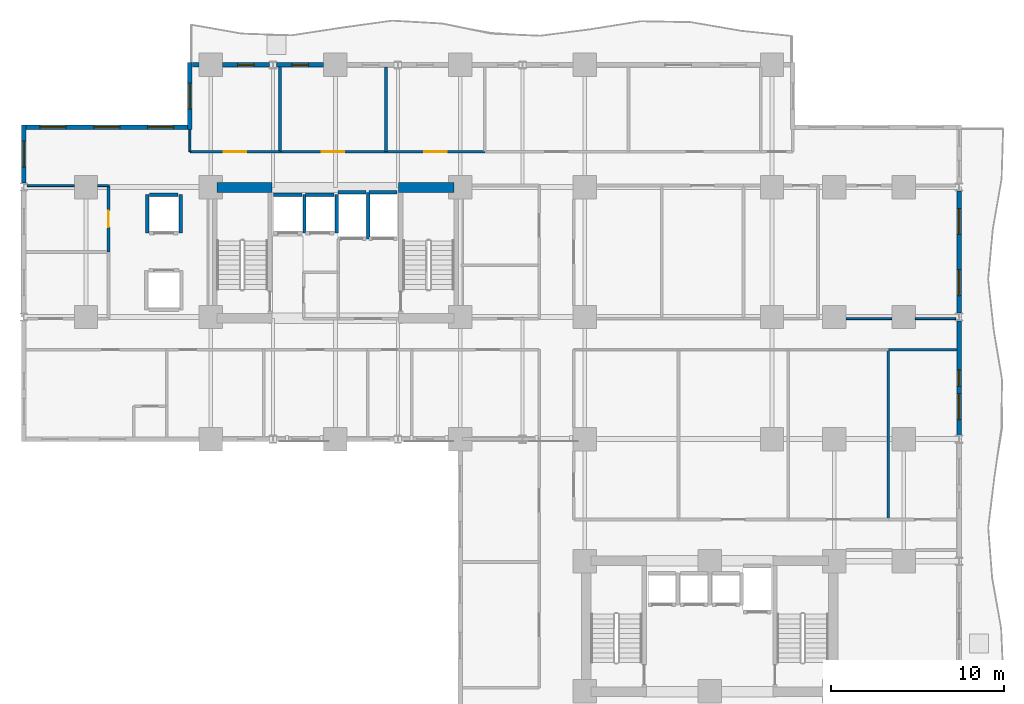
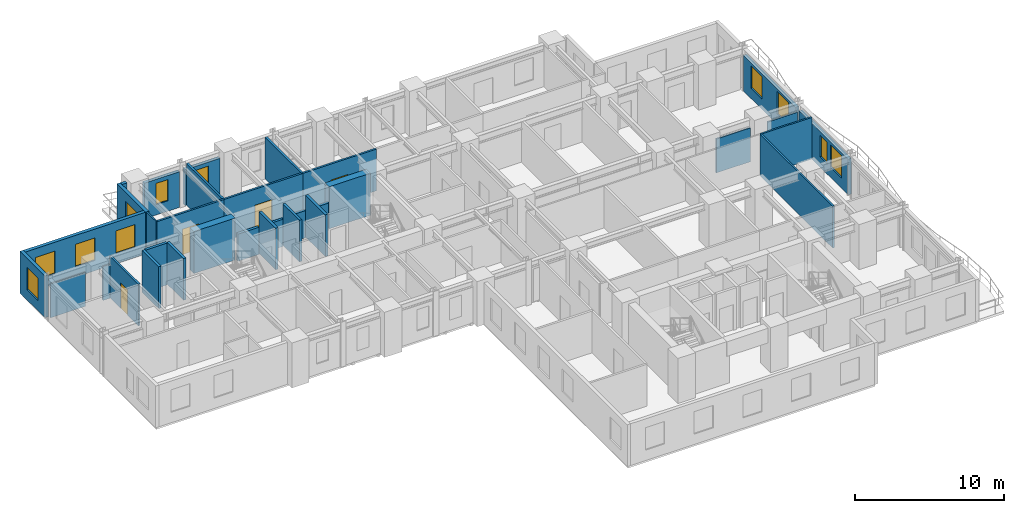
# One storey, part 6 of 11: 33 walls, 11 windows, 4 doors, 15 openings.
"""IFC4 building model written with IfcOpenShell, lengths in metres."""

from ifc_helpers import new_model, si_unit, direction, frame, frame_2d, origin, place, context, subcontext, project, spatial, rectangle, extrude, material, layer, layer_set, type_object, element, fill, save


model = new_model("IFC4")

# Units and contexts
model_context = context("Model", 3, precision=1e-05, world=origin(), true_north=direction((0.0, 1.0)))
body_context = subcontext(model_context, "Body", "Model", "MODEL_VIEW")
ifc_project = project(units=[si_unit("LENGTHUNIT", "METRE"), si_unit("AREAUNIT", "SQUARE_METRE"), si_unit("VOLUMEUNIT", "CUBIC_METRE"), si_unit("PLANEANGLEUNIT", "RADIAN"), si_unit("MASSUNIT", "GRAM", prefix="KILO")], contexts=[model_context])

# Site, building, storey
site_placement = place(None, origin())
site = spatial("IfcSite", under=ifc_project, at=site_placement, CompositionType="ELEMENT")
building_placement = place(site_placement, origin())
building = spatial("IfcBuilding", under=site, at=building_placement, Name="Kaliganga Portal Commons", CompositionType="ELEMENT")
storey_placement = place(building_placement, frame((0.0, 0.0, 66.0)))
storey = spatial("IfcBuildingStorey", under=building, at=storey_placement, Name="L16", CompositionType="ELEMENT", Elevation=66.0)

# Walls
ifc_material_1 = material(Name="Concrete C60/75", Category="concrete")
ifc_layer_1 = layer(ifc_material_1, 0.550048828125)
ifc_layer_set_1 = layer_set([ifc_layer_1], Name="Concrete C60/75")
wall_type_1 = type_object("IfcWallType", Name="WL-CORE-550", PredefinedType="SHEAR", material=ifc_layer_set_1)
for number, where, z_axis, x_axis, name in (
    (1, (14.75, 36.125, 0.0), (0.0, 0.0, 1.0), (1.0, 0.0, 0.0), "Core A N-West Shear Wall L16"),
    (2, (25.25, 36.125, 0.0), (0.0, 0.0, 1.0), (1.0, 0.0, 0.0), "Core A N-East Shear Wall L16"),
):
    element("IfcWall", number, at=place(storey_placement, frame(where, z_axis=z_axis, x_axis=x_axis)), inside=storey, type_object=wall_type_1, Name=name, PredefinedType="SHEAR", context=body_context, shape_type="SweptSolid", body=[
        extrude(rectangle(XDim=3.199951171875, YDim=0.550048828125, at=frame_2d((1.60009765625, 0.0))), origin(), (0.0, 0.0, 1.0), 3.449951171875),
    ])

# Wall, openings, windows
ifc_material_2 = material(Name="Insulated Aluminium-Clad Spandrel Assembly", Category="aluminium")
ifc_layer_2 = layer(ifc_material_2, 0.260009765625)
ifc_layer_set_2 = layer_set([ifc_layer_2], Name="Insulated Aluminium-Clad Spandrel Assembly")
wall_type_2 = type_object("IfcWallType", Name="WL-EXT-SPAND-260", PredefinedType="STANDARD", material=ifc_layer_set_2)
wall_1_placement = place(storey_placement, frame((57.60009765625, 28.426025390625, 0.0), z_axis=(0.0, 0.0, 1.0), x_axis=(0.0, -1.0, 0.0)))
wall_1 = element("IfcWall", 3, at=wall_1_placement, inside=storey, type_object=wall_type_2, Name="Exterior Envelope Wall L16 P1-E03-S4", PredefinedType="STANDARD", context=body_context, shape_type="SweptSolid", body=[
    extrude(rectangle(XDim=6.60205078125, YDim=0.260009765625, at=frame_2d((3.301025390625, 0.0))), origin(), (0.0, 0.0, 1.0), 2.929931640625),
])
opening_1_placement = place(wall_1_placement, frame((4.201416015625, 0.0, 0.85009765625)))
opening_1 = element("IfcOpeningElement", 4, at=opening_1_placement, cuts=wall_1, Name="Opening W-02", PredefinedType="OPENING", context=body_context, shape_type="SweptSolid", body=[
    extrude(rectangle(XDim=1.5, YDim=1.85009765625, at=frame_2d((0.75, 0.925048828125))), frame((0.0, 0.14013671875, 0.0), z_axis=(0.0, -1.0, 0.0), x_axis=(1.0, 0.0, 0.0)), (0.0, 0.0, 1.0), 0.280029296875),
])
opening_2_placement = place(wall_1_placement, frame((2.825927734375, 0.0, 0.85009765625)))
opening_2 = element("IfcOpeningElement", 5, at=opening_2_placement, cuts=wall_1, Name="Opening W-04", PredefinedType="OPENING", context=body_context, shape_type="SweptSolid", body=[
    extrude(rectangle(XDim=0.949951171875, YDim=1.75, at=frame_2d((0.47509765625, 0.875))), frame((0.0, 0.14013671875, 0.0), z_axis=(0.0, -1.0, 0.0), x_axis=(1.0, 0.0, 0.0)), (0.0, 0.0, 1.0), 0.280029296875),
])
ifc_material_3 = material(Name="Thermally Broken Aluminium and Low-E Double Glazing", Category="aluminium")
window_type_1 = type_object("IfcWindowType", Name="WIN-NARROW-950", PartitioningType="SINGLE_PANEL", PredefinedType="WINDOW", material=ifc_material_3)
window_1_placement = place(opening_2_placement, origin())
window_1 = element("IfcWindow", 6, at=window_1_placement, inside=storey, type_object=window_type_1, Name="Facade Window L16-P1E03S4-N0", OverallHeight=1.75, OverallWidth=0.949951171875, PartitioningType="SINGLE_PANEL", PredefinedType="WINDOW", context=body_context, shape_type="SweptSolid", body=[
    extrude(rectangle(XDim=0.949951171875, YDim=1.75, at=frame_2d((0.47509765625, 0.875))), frame((0.0, 0.030029296875, 0.0), z_axis=(0.0, -1.0, 0.0), x_axis=(1.0, 0.0, 0.0)), (0.0, 0.0, 1.0), 0.06005859375),
])
fill(opening_2, window_1)
window_type_2 = type_object("IfcWindowType", Name="WIN-STD-1500", PartitioningType="DOUBLE_PANEL_VERTICAL", PredefinedType="WINDOW", material=ifc_material_3)
window_2_placement = place(opening_1_placement, origin())
window_2 = element("IfcWindow", 7, at=window_2_placement, inside=storey, type_object=window_type_2, Name="Facade Window L16-P1E03S4-01", OverallHeight=1.85009765625, OverallWidth=1.5, PartitioningType="SINGLE_PANEL", PredefinedType="WINDOW", context=body_context, shape_type="SweptSolid", body=[
    extrude(rectangle(XDim=1.5, YDim=1.85009765625, at=frame_2d((0.75, 0.925048828125))), frame((0.0, 0.030029296875, 0.0), z_axis=(0.0, -1.0, 0.0), x_axis=(1.0, 0.0, 0.0)), (0.0, 0.0, 1.0), 0.06005859375),
])
fill(opening_1, window_2)

wall_2_placement = place(storey_placement, frame((57.60009765625, 35.926025390625, 0.0), z_axis=(0.0, 0.0, 1.0), x_axis=(0.0, -1.0, 0.0)))
wall_2 = element("IfcWall", 8, at=wall_2_placement, inside=storey, type_object=wall_type_2, Name="Exterior Envelope Wall L16 P1-E03-S5", PredefinedType="STANDARD", context=body_context, shape_type="SweptSolid", body=[
    extrude(rectangle(XDim=7.052001953125, YDim=0.260009765625, at=frame_2d((3.52587890625, 0.0))), origin(), (0.0, 0.0, 1.0), 2.929931640625),
])
opening_3_placement = place(wall_2_placement, frame((1.012939453125, 0.0, 0.85009765625)))
opening_3 = element("IfcOpeningElement", 9, at=opening_3_placement, cuts=wall_2, Name="Opening W-02", PredefinedType="OPENING", context=body_context, shape_type="SweptSolid", body=[
    extrude(rectangle(XDim=1.5, YDim=1.85009765625, at=frame_2d((0.75, 0.925048828125))), frame((0.0, 0.14013671875, 0.0), z_axis=(0.0, -1.0, 0.0), x_axis=(1.0, 0.0, 0.0)), (0.0, 0.0, 1.0), 0.280029296875),
])
opening_4_placement = place(wall_2_placement, frame((4.5390625, 0.0, 0.85009765625)))
opening_4 = element("IfcOpeningElement", 10, at=opening_4_placement, cuts=wall_2, Name="Opening W-02", PredefinedType="OPENING", context=body_context, shape_type="SweptSolid", body=[
    extrude(rectangle(XDim=1.5, YDim=1.85009765625, at=frame_2d((0.75, 0.925048828125))), frame((0.0, 0.14013671875, 0.0), z_axis=(0.0, -1.0, 0.0), x_axis=(1.0, 0.0, 0.0)), (0.0, 0.0, 1.0), 0.280029296875),
])
window_3_placement = place(opening_3_placement, origin())
window_3 = element("IfcWindow", 11, at=window_3_placement, inside=storey, type_object=window_type_2, Name="Facade Window L16-P1E03S5-00", OverallHeight=1.85009765625, OverallWidth=1.5, PartitioningType="SINGLE_PANEL", PredefinedType="WINDOW", context=body_context, shape_type="SweptSolid", body=[
    extrude(rectangle(XDim=1.5, YDim=1.85009765625, at=frame_2d((0.75, 0.925048828125))), frame((0.0, 0.030029296875, 0.0), z_axis=(0.0, -1.0, 0.0), x_axis=(1.0, 0.0, 0.0)), (0.0, 0.0, 1.0), 0.06005859375),
])
fill(opening_3, window_3)
window_4_placement = place(opening_4_placement, origin())
window_4 = element("IfcWindow", 12, at=window_4_placement, inside=storey, type_object=window_type_2, Name="Facade Window L16-P1E03S5-01", OverallHeight=1.85009765625, OverallWidth=1.5, PartitioningType="SINGLE_PANEL", PredefinedType="WINDOW", context=body_context, shape_type="SweptSolid", body=[
    extrude(rectangle(XDim=1.5, YDim=1.85009765625, at=frame_2d((0.75, 0.925048828125))), frame((0.0, 0.030029296875, 0.0), z_axis=(0.0, -1.0, 0.0), x_axis=(1.0, 0.0, 0.0)), (0.0, 0.0, 1.0), 0.06005859375),
])
fill(opening_4, window_4)

# Wall, opening, window
wall_3_placement = place(storey_placement, frame((18.208984375, 43.199951171875, 0.0), z_axis=(0.0, 0.0, 1.0), x_axis=(1.0, 0.0, 0.0)))
wall_3 = element("IfcWall", 13, at=wall_3_placement, inside=storey, type_object=wall_type_2, Name="Exterior Envelope Wall L16 P1-E06-S7", PredefinedType="STANDARD", context=body_context, shape_type="SweptSolid", body=[
    extrude(rectangle(XDim=2.715087890625, YDim=0.260009765625, at=frame_2d((1.357421875, 0.0))), origin(), (0.0, 0.0, 1.0), 2.929931640625),
])
opening_5_placement = place(wall_3_placement, frame((0.882568359375, 0.0, 0.85009765625)))
opening_5 = element("IfcOpeningElement", 14, at=opening_5_placement, cuts=wall_3, Name="Opening W-04", PredefinedType="OPENING", context=body_context, shape_type="SweptSolid", body=[
    extrude(rectangle(XDim=0.949951171875, YDim=1.75, at=frame_2d((0.47509765625, 0.875))), frame((0.0, 0.14013671875, 0.0), z_axis=(0.0, -1.0, 0.0), x_axis=(1.0, 0.0, 0.0)), (0.0, 0.0, 1.0), 0.280029296875),
])
window_5_placement = place(opening_5_placement, origin())
window_5 = element("IfcWindow", 15, at=window_5_placement, inside=storey, type_object=window_type_1, Name="Facade Window L16-P1E06S7-00", OverallHeight=1.75, OverallWidth=0.949951171875, PartitioningType="SINGLE_PANEL", PredefinedType="WINDOW", context=body_context, shape_type="SweptSolid", body=[
    extrude(rectangle(XDim=0.949951171875, YDim=1.75, at=frame_2d((0.47509765625, 0.875))), frame((0.0, 0.030029296875, 0.0), z_axis=(0.0, -1.0, 0.0), x_axis=(1.0, 0.0, 0.0)), (0.0, 0.0, 1.0), 0.06005859375),
])
fill(opening_5, window_5)

wall_4_placement = place(storey_placement, frame((15.075927734375, 43.199951171875, 0.0), z_axis=(0.0, 0.0, 1.0), x_axis=(1.0, 0.0, 0.0)))
wall_4 = element("IfcWall", 16, at=wall_4_placement, inside=storey, type_object=wall_type_2, Name="Exterior Envelope Wall L16 P1-E06-S8", PredefinedType="STANDARD", context=body_context, shape_type="SweptSolid", body=[
    extrude(rectangle(XDim=2.715087890625, YDim=0.260009765625, at=frame_2d((1.357421875, 0.0))), origin(), (0.0, 0.0, 1.0), 2.929931640625),
])
opening_6_placement = place(wall_4_placement, frame((0.882568359375, 0.0, 0.85009765625)))
opening_6 = element("IfcOpeningElement", 17, at=opening_6_placement, cuts=wall_4, Name="Opening W-04", PredefinedType="OPENING", context=body_context, shape_type="SweptSolid", body=[
    extrude(rectangle(XDim=0.949951171875, YDim=1.75, at=frame_2d((0.47509765625, 0.875))), frame((0.0, 0.14013671875, 0.0), z_axis=(0.0, -1.0, 0.0), x_axis=(1.0, 0.0, 0.0)), (0.0, 0.0, 1.0), 0.280029296875),
])
window_6_placement = place(opening_6_placement, origin())
window_6 = element("IfcWindow", 18, at=window_6_placement, inside=storey, type_object=window_type_1, Name="Facade Window L16-P1E06S8-00", OverallHeight=1.75, OverallWidth=0.949951171875, PartitioningType="SINGLE_PANEL", PredefinedType="WINDOW", context=body_context, shape_type="SweptSolid", body=[
    extrude(rectangle(XDim=0.949951171875, YDim=1.75, at=frame_2d((0.47509765625, 0.875))), frame((0.0, 0.030029296875, 0.0), z_axis=(0.0, -1.0, 0.0), x_axis=(1.0, 0.0, 0.0)), (0.0, 0.0, 1.0), 0.06005859375),
])
fill(opening_6, window_6)

# Wall
wall_5_placement = place(storey_placement, frame((13.3349609375, 43.199951171875, 0.0), z_axis=(0.0, 0.0, 1.0), x_axis=(1.0, 0.0, 0.0)))
element("IfcWall", 19, at=wall_5_placement, inside=storey, type_object=wall_type_2, Name="Exterior Envelope Wall L16 P1-E06-S9", PredefinedType="STANDARD", context=body_context, shape_type="SweptSolid", body=[
    extrude(rectangle(XDim=0.38916015625, YDim=0.260009765625, at=frame_2d((0.194580078125, 0.0))), origin(), (0.0, 0.0, 1.0), 3.429931640625),
])

# Wall, opening, window
wall_6_placement = place(storey_placement, frame((13.199951171875, 39.469970703125, 0.0), z_axis=(0.0, 0.0, 1.0), x_axis=(0.0, 1.0, 0.0)))
wall_6 = element("IfcWall", 20, at=wall_6_placement, inside=storey, type_object=wall_type_2, Name="Exterior Envelope Wall L16 P1-E07-S1", PredefinedType="STANDARD", context=body_context, shape_type="SweptSolid", body=[
    extrude(rectangle(XDim=3.860107421875, YDim=0.260009765625, at=frame_2d((1.93017578125, 0.0))), origin(), (0.0, 0.0, 1.0), 3.429931640625),
])
opening_7_placement = place(wall_6_placement, frame((1.179931640625, 0.0, 0.85009765625)))
opening_7 = element("IfcOpeningElement", 21, at=opening_7_placement, cuts=wall_6, Name="Opening W-02", PredefinedType="OPENING", context=body_context, shape_type="SweptSolid", body=[
    extrude(rectangle(XDim=1.5, YDim=1.85009765625, at=frame_2d((0.75, 0.925048828125))), frame((0.0, 0.14013671875, 0.0), z_axis=(0.0, -1.0, 0.0), x_axis=(1.0, 0.0, 0.0)), (0.0, 0.0, 1.0), 0.280029296875),
])
window_7_placement = place(opening_7_placement, origin())
window_7 = element("IfcWindow", 22, at=window_7_placement, inside=storey, type_object=window_type_2, Name="Facade Window L16-P1E07S1-00", OverallHeight=1.85009765625, OverallWidth=1.5, PartitioningType="SINGLE_PANEL", PredefinedType="WINDOW", context=body_context, shape_type="SweptSolid", body=[
    extrude(rectangle(XDim=1.5, YDim=1.85009765625, at=frame_2d((0.75, 0.925048828125))), frame((0.0, 0.030029296875, 0.0), z_axis=(0.0, -1.0, 0.0), x_axis=(1.0, 0.0, 0.0)), (0.0, 0.0, 1.0), 0.06005859375),
])
fill(opening_7, window_7)

# Wall, openings, windows
wall_7_placement = place(storey_placement, frame((3.735107421875, 39.60009765625, 0.0), z_axis=(0.0, 0.0, 1.0), x_axis=(1.0, 0.0, 0.0)))
wall_7 = element("IfcWall", 23, at=wall_7_placement, inside=storey, type_object=wall_type_2, Name="Exterior Envelope Wall L16 P1-E08-S1", PredefinedType="STANDARD", context=body_context, shape_type="SweptSolid", body=[
    extrude(rectangle(XDim=9.329833984375, YDim=0.260009765625, at=frame_2d((4.6650390625, 0.0))), origin(), (0.0, 0.0, 1.0), 3.429931640625),
])
opening_8_placement = place(wall_7_placement, frame((0.804931640625, 0.0, 0.85009765625)))
opening_8 = element("IfcOpeningElement", 24, at=opening_8_placement, cuts=wall_7, Name="Opening W-02", PredefinedType="OPENING", context=body_context, shape_type="SweptSolid", body=[
    extrude(rectangle(XDim=1.5, YDim=1.85009765625, at=frame_2d((0.75, 0.925048828125))), frame((0.0, 0.14013671875, 0.0), z_axis=(0.0, -1.0, 0.0), x_axis=(1.0, 0.0, 0.0)), (0.0, 0.0, 1.0), 0.280029296875),
])
opening_9_placement = place(wall_7_placement, frame((3.9150390625, 0.0, 0.85009765625)))
opening_9 = element("IfcOpeningElement", 25, at=opening_9_placement, cuts=wall_7, Name="Opening W-02", PredefinedType="OPENING", context=body_context, shape_type="SweptSolid", body=[
    extrude(rectangle(XDim=1.5, YDim=1.85009765625, at=frame_2d((0.75, 0.925048828125))), frame((0.0, 0.14013671875, 0.0), z_axis=(0.0, -1.0, 0.0), x_axis=(1.0, 0.0, 0.0)), (0.0, 0.0, 1.0), 0.280029296875),
])
opening_10_placement = place(wall_7_placement, frame((7.02490234375, 0.0, 0.85009765625)))
opening_10 = element("IfcOpeningElement", 26, at=opening_10_placement, cuts=wall_7, Name="Opening W-02", PredefinedType="OPENING", context=body_context, shape_type="SweptSolid", body=[
    extrude(rectangle(XDim=1.5, YDim=1.85009765625, at=frame_2d((0.75, 0.925048828125))), frame((0.0, 0.14013671875, 0.0), z_axis=(0.0, -1.0, 0.0), x_axis=(1.0, 0.0, 0.0)), (0.0, 0.0, 1.0), 0.280029296875),
])
window_8_placement = place(opening_8_placement, origin())
window_8 = element("IfcWindow", 27, at=window_8_placement, inside=storey, type_object=window_type_2, Name="Facade Window L16-P1E08S1-00", OverallHeight=1.85009765625, OverallWidth=1.5, PartitioningType="SINGLE_PANEL", PredefinedType="WINDOW", context=body_context, shape_type="SweptSolid", body=[
    extrude(rectangle(XDim=1.5, YDim=1.85009765625, at=frame_2d((0.75, 0.925048828125))), frame((0.0, 0.030029296875, 0.0), z_axis=(0.0, -1.0, 0.0), x_axis=(1.0, 0.0, 0.0)), (0.0, 0.0, 1.0), 0.06005859375),
])
fill(opening_8, window_8)
window_9_placement = place(opening_9_placement, origin())
window_9 = element("IfcWindow", 28, at=window_9_placement, inside=storey, type_object=window_type_2, Name="Facade Window L16-P1E08S1-01", OverallHeight=1.85009765625, OverallWidth=1.5, PartitioningType="SINGLE_PANEL", PredefinedType="WINDOW", context=body_context, shape_type="SweptSolid", body=[
    extrude(rectangle(XDim=1.5, YDim=1.85009765625, at=frame_2d((0.75, 0.925048828125))), frame((0.0, 0.030029296875, 0.0), z_axis=(0.0, -1.0, 0.0), x_axis=(1.0, 0.0, 0.0)), (0.0, 0.0, 1.0), 0.06005859375),
])
fill(opening_9, window_9)
window_10_placement = place(opening_10_placement, origin())
window_10 = element("IfcWindow", 29, at=window_10_placement, inside=storey, type_object=window_type_2, Name="Facade Window L16-P1E08S1-02", OverallHeight=1.85009765625, OverallWidth=1.5, PartitioningType="SINGLE_PANEL", PredefinedType="WINDOW", context=body_context, shape_type="SweptSolid", body=[
    extrude(rectangle(XDim=1.5, YDim=1.85009765625, at=frame_2d((0.75, 0.925048828125))), frame((0.0, 0.030029296875, 0.0), z_axis=(0.0, -1.0, 0.0), x_axis=(1.0, 0.0, 0.0)), (0.0, 0.0, 1.0), 0.06005859375),
])
fill(opening_10, window_10)

# Wall, opening, window
wall_8_placement = place(storey_placement, frame((3.60009765625, 36.3740234375, 0.0), z_axis=(0.0, 0.0, 1.0), x_axis=(0.0, 1.0, 0.0)))
wall_8 = element("IfcWall", 30, at=wall_8_placement, inside=storey, type_object=wall_type_2, Name="Exterior Envelope Wall L16 P1-E09-S1", PredefinedType="STANDARD", context=body_context, shape_type="SweptSolid", body=[
    extrude(rectangle(XDim=3.35595703125, YDim=0.260009765625, at=frame_2d((1.677978515625, 0.0))), origin(), (0.0, 0.0, 1.0), 3.429931640625),
])
opening_11_placement = place(wall_8_placement, frame((0.927978515625, 0.0, 0.85009765625)))
opening_11 = element("IfcOpeningElement", 31, at=opening_11_placement, cuts=wall_8, Name="Opening W-02", PredefinedType="OPENING", context=body_context, shape_type="SweptSolid", body=[
    extrude(rectangle(XDim=1.5, YDim=1.85009765625, at=frame_2d((0.75, 0.925048828125))), frame((0.0, 0.14013671875, 0.0), z_axis=(0.0, -1.0, 0.0), x_axis=(1.0, 0.0, 0.0)), (0.0, 0.0, 1.0), 0.280029296875),
])
window_11_placement = place(opening_11_placement, origin())
window_11 = element("IfcWindow", 32, at=window_11_placement, inside=storey, type_object=window_type_2, Name="Facade Window L16-P1E09S1-00", OverallHeight=1.85009765625, OverallWidth=1.5, PartitioningType="SINGLE_PANEL", PredefinedType="WINDOW", context=body_context, shape_type="SweptSolid", body=[
    extrude(rectangle(XDim=1.5, YDim=1.85009765625, at=frame_2d((0.75, 0.925048828125))), frame((0.0, 0.030029296875, 0.0), z_axis=(0.0, -1.0, 0.0), x_axis=(1.0, 0.0, 0.0)), (0.0, 0.0, 1.0), 0.06005859375),
])
fill(opening_11, window_11)

# Wall, opening, door
ifc_material_4 = material(Name="Fire-Rated Gypsum Board on Steel Stud", Category="steel")
ifc_layer_3 = layer(ifc_material_4, 0.14990234375)
ifc_layer_set_3 = layer_set([ifc_layer_3], Name="Fire-Rated Gypsum Board on Steel Stud")
wall_type_3 = type_object("IfcWallType", Name="WL-PART-CORR-150", PredefinedType="PARTITIONING", material=ifc_layer_set_3)
wall_9_placement = place(storey_placement, frame((18.39990234375, 38.199951171875, 0.0), z_axis=(0.0, 0.0, 1.0), x_axis=(1.0, 0.0, 0.0)))
wall_9 = element("IfcWall", 33, at=wall_9_placement, inside=storey, type_object=wall_type_3, Name="Interior Partition L16-020", PredefinedType="PARTITIONING", context=body_context, shape_type="SweptSolid", body=[
    extrude(rectangle(XDim=6.1201171875, YDim=0.14990234375, at=frame_2d((3.06005859375, 0.0))), origin(), (0.0, 0.0, 1.0), 3.429931640625),
])
opening_12_placement = place(wall_9_placement, frame((2.409912109375, 0.0, 0.0)))
opening_12 = element("IfcOpeningElement", 34, at=opening_12_placement, cuts=wall_9, Name="Opening RD-03", PredefinedType="OPENING", context=body_context, shape_type="SweptSolid", body=[
    extrude(rectangle(XDim=1.300048828125, YDim=2.1201171875, at=frame_2d((0.64990234375, 1.06005859375))), frame((0.0, 0.0849609375, 0.0), z_axis=(0.0, -1.0, 0.0), x_axis=(1.0, 0.0, 0.0)), (0.0, 0.0, 1.0), 0.169921875),
])
ifc_material_5 = material(Name="Glazed Timber Seminar Vision Door", Category="wood")
door_type_1 = type_object("IfcDoorType", Name="DR-STUDY-1300", OperationType="DOUBLE_DOOR_SINGLE_SWING", PredefinedType="DOOR", material=ifc_material_5)
door_1_placement = place(opening_12_placement, origin())
door_1 = element("IfcDoor", 35, at=door_1_placement, inside=storey, type_object=door_type_1, Name="Interior Door L16-AN02", OperationType="DOUBLE_DOOR_SINGLE_SWING", OverallHeight=2.1201171875, OverallWidth=1.300048828125, PredefinedType="DOOR", context=body_context, shape_type="SweptSolid", body=[
    extrude(rectangle(XDim=1.300048828125, YDim=2.1201171875, at=frame_2d((0.64990234375, 1.06005859375))), frame((0.0, 0.02490234375, 0.0), z_axis=(0.0, -1.0, 0.0), x_axis=(1.0, 0.0, 0.0)), (0.0, 0.0, 1.0), 0.050048828125),
])
fill(opening_12, door_1)

wall_10_placement = place(storey_placement, frame((24.52001953125, 38.199951171875, 0.0), z_axis=(0.0, 0.0, 1.0), x_axis=(1.0, 0.0, 0.0)))
wall_10 = element("IfcWall", 36, at=wall_10_placement, inside=storey, type_object=wall_type_3, Name="Interior Partition L16-024", PredefinedType="PARTITIONING", context=body_context, shape_type="SweptSolid", body=[
    extrude(rectangle(XDim=5.699951171875, YDim=0.14990234375, at=frame_2d((2.85009765625, 0.0))), origin(), (0.0, 0.0, 1.0), 3.429931640625),
])
opening_13_placement = place(wall_10_placement, frame((2.199951171875, 0.0, 0.0)))
opening_13 = element("IfcOpeningElement", 37, at=opening_13_placement, cuts=wall_10, Name="Opening RD-03", PredefinedType="OPENING", context=body_context, shape_type="SweptSolid", body=[
    extrude(rectangle(XDim=1.300048828125, YDim=2.1201171875, at=frame_2d((0.64990234375, 1.06005859375))), frame((0.0, 0.0849609375, 0.0), z_axis=(0.0, -1.0, 0.0), x_axis=(1.0, 0.0, 0.0)), (0.0, 0.0, 1.0), 0.169921875),
])
door_2_placement = place(opening_13_placement, origin())
door_2 = element("IfcDoor", 38, at=door_2_placement, inside=storey, type_object=door_type_1, Name="Interior Door L16-AN03", OperationType="DOUBLE_DOOR_SINGLE_SWING", OverallHeight=2.1201171875, OverallWidth=1.300048828125, PredefinedType="DOOR", context=body_context, shape_type="SweptSolid", body=[
    extrude(rectangle(XDim=1.300048828125, YDim=2.1201171875, at=frame_2d((0.64990234375, 1.06005859375))), frame((0.0, 0.02490234375, 0.0), z_axis=(0.0, -1.0, 0.0), x_axis=(1.0, 0.0, 0.0)), (0.0, 0.0, 1.0), 0.050048828125),
])
fill(opening_13, door_2)

wall_11_placement = place(storey_placement, frame((13.199951171875, 38.199951171875, 0.0), z_axis=(0.0, 0.0, 1.0), x_axis=(1.0, 0.0, 0.0)))
wall_11 = element("IfcWall", 39, at=wall_11_placement, inside=storey, type_object=wall_type_3, Name="Interior Partition L16-026", PredefinedType="PARTITIONING", context=body_context, shape_type="SweptSolid", body=[
    extrude(rectangle(XDim=5.199951171875, YDim=0.14990234375, at=frame_2d((2.60009765625, 0.0))), origin(), (0.0, 0.0, 1.0), 3.429931640625),
])
opening_14_placement = place(wall_11_placement, frame((1.949951171875, 0.0, 0.0)))
opening_14 = element("IfcOpeningElement", 40, at=opening_14_placement, cuts=wall_11, Name="Opening RD-03", PredefinedType="OPENING", context=body_context, shape_type="SweptSolid", body=[
    extrude(rectangle(XDim=1.300048828125, YDim=2.1201171875, at=frame_2d((0.64990234375, 1.06005859375))), frame((0.0, 0.0849609375, 0.0), z_axis=(0.0, -1.0, 0.0), x_axis=(1.0, 0.0, 0.0)), (0.0, 0.0, 1.0), 0.169921875),
])
door_3_placement = place(opening_14_placement, origin())
door_3 = element("IfcDoor", 41, at=door_3_placement, inside=storey, type_object=door_type_1, Name="Interior Door L16-AN01", OperationType="DOUBLE_DOOR_SINGLE_SWING", OverallHeight=2.1201171875, OverallWidth=1.300048828125, PredefinedType="DOOR", context=body_context, shape_type="SweptSolid", body=[
    extrude(rectangle(XDim=1.300048828125, YDim=2.1201171875, at=frame_2d((0.64990234375, 1.06005859375))), frame((0.0, 0.02490234375, 0.0), z_axis=(0.0, -1.0, 0.0), x_axis=(1.0, 0.0, 0.0)), (0.0, 0.0, 1.0), 0.050048828125),
])
fill(opening_14, door_3)

wall_12_placement = place(storey_placement, frame((8.5, 32.39990234375, 0.0), z_axis=(0.0, 0.0, 1.0), x_axis=(0.0, 1.0, 0.0)))
wall_12 = element("IfcWall", 42, at=wall_12_placement, inside=storey, type_object=wall_type_3, Name="Interior Partition L16-039", PredefinedType="PARTITIONING", context=body_context, shape_type="SweptSolid", body=[
    extrude(rectangle(XDim=3.840087890625, YDim=0.14990234375, at=frame_2d((1.919921875, 0.0))), origin(), (0.0, 0.0, 1.0), 3.429931640625),
])
opening_15_placement = place(wall_12_placement, frame((1.445068359375, 0.0, 0.0)))
opening_15 = element("IfcOpeningElement", 43, at=opening_15_placement, cuts=wall_12, Name="Opening UD-01", PredefinedType="OPENING", context=body_context, shape_type="SweptSolid", body=[
    extrude(rectangle(XDim=0.949951171875, YDim=2.10009765625, at=frame_2d((0.47509765625, 1.050048828125))), frame((0.0, 0.0849609375, 0.0), z_axis=(0.0, -1.0, 0.0), x_axis=(1.0, 0.0, 0.0)), (0.0, 0.0, 1.0), 0.169921875),
])
ifc_material_6 = material(Name="Solid-Core Timber Acoustic Fire Door", Category="wood")
door_type_2 = type_object("IfcDoorType", Name="DR-UNIT-950", OperationType="NOTDEFINED", PredefinedType="DOOR", material=ifc_material_6)
door_4_placement = place(opening_15_placement, origin())
door_4 = element("IfcDoor", 44, at=door_4_placement, inside=storey, type_object=door_type_2, Name="Interior Door L16-AW02", OperationType="SINGLE_SWING_LEFT", OverallHeight=2.10009765625, OverallWidth=0.949951171875, PredefinedType="DOOR", context=body_context, shape_type="SweptSolid", body=[
    extrude(rectangle(XDim=0.949951171875, YDim=2.10009765625, at=frame_2d((0.47509765625, 1.050048828125))), frame((0.0, 0.02490234375, 0.0), z_axis=(0.0, -1.0, 0.0), x_axis=(1.0, 0.0, 0.0)), (0.0, 0.0, 1.0), 0.050048828125),
])
fill(opening_15, door_4)

# Walls
ifc_material_7 = material(Name="Moisture-Resistant Gypsum Partition", Category="gypsum")
ifc_layer_4 = layer(ifc_material_7, 0.114990234375)
ifc_layer_set_4 = layer_set([ifc_layer_4], Name="Moisture-Resistant Gypsum Partition")
wall_type_4 = type_object("IfcWallType", Name="WL-PART-ROOM-115", PredefinedType="PARTITIONING", material=ifc_layer_set_4)
wall_13_placement = place(storey_placement, frame((51.074951171875, 28.56005859375, 0.0), z_axis=(0.0, 0.0, 1.0), x_axis=(1.0, 0.0, 0.0)))
element("IfcWall", 45, at=wall_13_placement, inside=storey, type_object=wall_type_4, Name="Interior Partition L16-051", PredefinedType="PARTITIONING", context=body_context, shape_type="SweptSolid", body=[
    extrude(rectangle(XDim=2.650146484375, YDim=0.114990234375, at=frame_2d((1.3251953125, 0.0))), origin(), (0.0, 0.0, 1.0), 2.780029296875),
])
wall_14_placement = place(storey_placement, frame((55.074951171875, 28.56005859375, 0.0), z_axis=(0.0, 0.0, 1.0), x_axis=(1.0, 0.0, 0.0)))
element("IfcWall", 46, at=wall_14_placement, inside=storey, type_object=wall_type_4, Name="Interior Partition L16-052", PredefinedType="PARTITIONING", context=body_context, shape_type="SweptSolid", body=[
    extrude(rectangle(XDim=2.317138671875, YDim=0.114990234375, at=frame_2d((1.15869140625, 0.0))), origin(), (0.0, 0.0, 1.0), 2.780029296875),
])
wall_15_placement = place(storey_placement, frame((13.199951171875, 38.199951171875, 0.0), z_axis=(0.0, 0.0, 1.0), x_axis=(0.0, 1.0, 0.0)))
element("IfcWall", 47, at=wall_15_placement, inside=storey, type_object=wall_type_4, Name="Interior Partition L16-063", PredefinedType="PARTITIONING", context=body_context, shape_type="SweptSolid", body=[
    extrude(rectangle(XDim=1.26806640625, YDim=0.114990234375, at=frame_2d((0.634033203125, 0.0))), origin(), (0.0, 0.0, 1.0), 3.429931640625),
])
wall_16_placement = place(storey_placement, frame((3.80810546875, 36.239990234375, 0.0), z_axis=(0.0, 0.0, 1.0), x_axis=(1.0, 0.0, 0.0)))
element("IfcWall", 48, at=wall_16_placement, inside=storey, type_object=wall_type_4, Name="Interior Partition L16-071", PredefinedType="PARTITIONING", context=body_context, shape_type="SweptSolid", body=[
    extrude(rectangle(XDim=2.716796875, YDim=0.114990234375, at=frame_2d((1.3583984375, 0.0))), origin(), (0.0, 0.0, 1.0), 2.780029296875),
])
wall_17_placement = place(storey_placement, frame((7.875, 36.239990234375, 0.0), z_axis=(0.0, 0.0, 1.0), x_axis=(1.0, 0.0, 0.0)))
element("IfcWall", 49, at=wall_17_placement, inside=storey, type_object=wall_type_4, Name="Interior Partition L16-072", PredefinedType="PARTITIONING", context=body_context, shape_type="SweptSolid", body=[
    extrude(rectangle(XDim=0.625, YDim=0.114990234375, at=frame_2d((0.3125, 0.0))), origin(), (0.0, 0.0, 1.0), 2.780029296875),
])
ifc_material_8 = material(Name="Twin-Stud Acoustic Gypsum Partition", Category="gypsum")
ifc_layer_5 = layer(ifc_material_8, 0.1650390625)
ifc_layer_set_5 = layer_set([ifc_layer_5], Name="Twin-Stud Acoustic Gypsum Partition")
wall_type_5 = type_object("IfcWallType", Name="WL-PART-UNIT-165", PredefinedType="PARTITIONING", material=ifc_layer_set_5)
for number, where, z_axis, x_axis, name in (
    (50, (18.39990234375, 38.199951171875, 0.0), (0.0, 0.0, 1.0), (0.0, 1.0, 0.0), "Interior Partition L16-064"),
    (51, (24.52001953125, 38.199951171875, 0.0), (0.0, 0.0, 1.0), (0.0, 1.0, 0.0), "Interior Partition L16-065"),
):
    element("IfcWall", number, at=place(storey_placement, frame(where, z_axis=z_axis, x_axis=x_axis)), inside=storey, type_object=wall_type_5, Name=name, PredefinedType="PARTITIONING", context=body_context, shape_type="SweptSolid", body=[
        extrude(rectangle(XDim=4.8681640625, YDim=0.1650390625, at=frame_2d((2.43408203125, 0.0))), origin(), (0.0, 0.0, 1.0), 3.429931640625),
    ])
ifc_material_9 = material(Name="Cement-Board Wet-Room Partition", Category="gypsum")
ifc_layer_6 = layer(ifc_material_9, 0.135009765625)
ifc_layer_set_6 = layer_set([ifc_layer_6], Name="Cement-Board Wet-Room Partition")
wall_type_6 = type_object("IfcWallType", Name="WL-PART-WET-135", PredefinedType="PARTITIONING", material=ifc_layer_set_6)
wall_18_placement = place(storey_placement, frame((53.52001953125, 16.9599609375, 0.0), z_axis=(0.0, 0.0, 1.0), x_axis=(0.0, 1.0, 0.0)))
element("IfcWall", 52, at=wall_18_placement, inside=storey, type_object=wall_type_6, Name="Interior Partition L16-050", PredefinedType="PARTITIONING", context=body_context, shape_type="SweptSolid", body=[
    extrude(rectangle(XDim=9.800048828125, YDim=0.135009765625, at=frame_2d((4.89990234375, 0.0))), origin(), (0.0, 0.0, 1.0), 3.429931640625),
])
wall_19_placement = place(storey_placement, frame((53.52001953125, 26.760009765625, 0.0), z_axis=(0.0, 0.0, 1.0), x_axis=(1.0, 0.0, 0.0)))
element("IfcWall", 53, at=wall_19_placement, inside=storey, type_object=wall_type_6, Name="Interior Partition L16-079", PredefinedType="PARTITIONING", context=body_context, shape_type="SweptSolid", body=[
    extrude(rectangle(XDim=3.947998046875, YDim=0.135009765625, at=frame_2d((1.97412109375, 0.0))), origin(), (0.0, 0.0, 1.0), 3.429931640625),
])
ifc_material_10 = material(Name="Fire-Rated Shaftwall Masonry Assembly", Category="masonry")
ifc_layer_7 = layer(ifc_material_10, 0.199951171875)
ifc_layer_set_7 = layer_set([ifc_layer_7], Name="Fire-Rated Shaftwall Masonry Assembly")
wall_type_7 = type_object("IfcWallType", Name="WL-SHAFT-200", PredefinedType="PARTITIONING", material=ifc_layer_set_7)
wall_20_placement = place(storey_placement, frame((18.02490234375, 35.715087890625, 0.0), z_axis=(0.0, 0.0, 1.0), x_axis=(1.0, 0.0, 0.0)))
element("IfcWall", 54, at=wall_20_placement, inside=storey, type_object=wall_type_7, Name="Lift PL-A1 Hoistway Shaft Wall L16-N", PredefinedType="PARTITIONING", context=body_context, shape_type="SweptSolid", body=[
    extrude(rectangle(XDim=1.650146484375, YDim=0.199951171875, at=frame_2d((0.8251953125, 0.0))), origin(), (0.0, 0.0, 1.0), 2.22998046875),
])
wall_21_placement = place(storey_placement, frame((19.81494140625, 33.485107421875, 0.0), z_axis=(0.0, 0.0, 1.0), x_axis=(0.0, 1.0, 0.0)))
element("IfcWall", 55, at=wall_21_placement, inside=storey, type_object=wall_type_7, Name="Lift PL-A1 Hoistway Shaft Wall L16-E", PredefinedType="PARTITIONING", context=body_context, shape_type="SweptSolid", body=[
    extrude(rectangle(XDim=2.22998046875, YDim=0.199951171875, at=frame_2d((1.114990234375, 0.0))), origin(), (0.0, 0.0, 1.0), 3.429931640625),
])
wall_22_placement = place(storey_placement, frame((19.875, 35.715087890625, 0.0), z_axis=(0.0, 0.0, 1.0), x_axis=(1.0, 0.0, 0.0)))
element("IfcWall", 56, at=wall_22_placement, inside=storey, type_object=wall_type_7, Name="Lift PL-A2 Hoistway Shaft Wall L16-N", PredefinedType="PARTITIONING", context=body_context, shape_type="SweptSolid", body=[
    extrude(rectangle(XDim=1.64990234375, YDim=0.199951171875, at=frame_2d((0.824951171875, 0.0))), origin(), (0.0, 0.0, 1.0), 2.22998046875),
])
wall_23_placement = place(storey_placement, frame((21.6650390625, 33.485107421875, 0.0), z_axis=(0.0, 0.0, 1.0), x_axis=(0.0, 1.0, 0.0)))
element("IfcWall", 57, at=wall_23_placement, inside=storey, type_object=wall_type_7, Name="Lift PL-A2 Hoistway Shaft Wall L16-E", PredefinedType="PARTITIONING", context=body_context, shape_type="SweptSolid", body=[
    extrude(rectangle(XDim=2.22998046875, YDim=0.199951171875, at=frame_2d((1.114990234375, 0.0))), origin(), (0.0, 0.0, 1.0), 3.429931640625),
])
wall_24_placement = place(storey_placement, frame((10.875, 35.715087890625, 0.0), z_axis=(0.0, 0.0, 1.0), x_axis=(1.0, 0.0, 0.0)))
element("IfcWall", 58, at=wall_24_placement, inside=storey, type_object=wall_type_7, Name="Lift PL-OBS Hoistway Shaft Wall L16-N", PredefinedType="PARTITIONING", context=body_context, shape_type="SweptSolid", body=[
    extrude(rectangle(XDim=1.64990234375, YDim=0.199951171875, at=frame_2d((0.824951171875, 0.0))), origin(), (0.0, 0.0, 1.0), 3.429931640625),
])
for number, where, z_axis, x_axis, name in (
    (59, (10.735107421875, 33.485107421875, 0.0), (0.0, 0.0, 1.0), (0.0, 1.0, 0.0), "Lift PL-OBS Hoistway Shaft Wall L16-W"),
    (60, (12.6650390625, 33.485107421875, 0.0), (0.0, 0.0, 1.0), (0.0, 1.0, 0.0), "Lift PL-OBS Hoistway Shaft Wall L16-E"),
):
    element("IfcWall", number, at=place(storey_placement, frame(where, z_axis=z_axis, x_axis=x_axis)), inside=storey, type_object=wall_type_7, Name=name, PredefinedType="PARTITIONING", context=body_context, shape_type="SweptSolid", body=[
        extrude(rectangle(XDim=2.22998046875, YDim=0.199951171875, at=frame_2d((1.114990234375, 0.0))), origin(), (0.0, 0.0, 1.0), 3.429931640625),
    ])
wall_25_placement = place(storey_placement, frame((21.75, 35.840087890625, 0.0), z_axis=(0.0, 0.0, 1.0), x_axis=(1.0, 0.0, 0.0)))
element("IfcWall", 61, at=wall_25_placement, inside=storey, type_object=wall_type_7, Name="Lift FFL-1 Hoistway Shaft Wall L16-N", PredefinedType="PARTITIONING", context=body_context, shape_type="SweptSolid", body=[
    extrude(rectangle(XDim=1.60009765625, YDim=0.199951171875, at=frame_2d((0.800048828125, 0.0))), origin(), (0.0, 0.0, 1.0), 2.22998046875),
])
wall_26_placement = place(storey_placement, frame((23.489990234375, 33.159912109375, 0.0), z_axis=(0.0, 0.0, 1.0), x_axis=(0.0, 1.0, 0.0)))
element("IfcWall", 62, at=wall_26_placement, inside=storey, type_object=wall_type_7, Name="Lift FFL-1 Hoistway Shaft Wall L16-E", PredefinedType="PARTITIONING", context=body_context, shape_type="SweptSolid", body=[
    extrude(rectangle(XDim=2.68017578125, YDim=0.199951171875, at=frame_2d((1.340087890625, 0.0))), origin(), (0.0, 0.0, 1.0), 3.429931640625),
])
wall_27_placement = place(storey_placement, frame((23.550048828125, 35.840087890625, 0.0), z_axis=(0.0, 0.0, 1.0), x_axis=(1.0, 0.0, 0.0)))
element("IfcWall", 63, at=wall_27_placement, inside=storey, type_object=wall_type_7, Name="Lift FFL-2 Hoistway Shaft Wall L16-N", PredefinedType="PARTITIONING", context=body_context, shape_type="SweptSolid", body=[
    extrude(rectangle(XDim=1.599853515625, YDim=0.199951171875, at=frame_2d((0.7998046875, 0.0))), origin(), (0.0, 0.0, 1.0), 2.22998046875),
])

save(model, "model.ifc")
